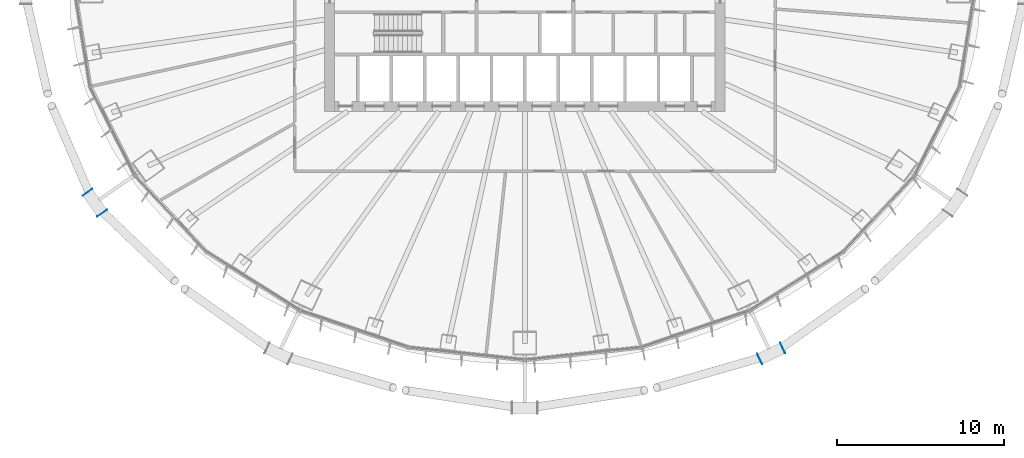
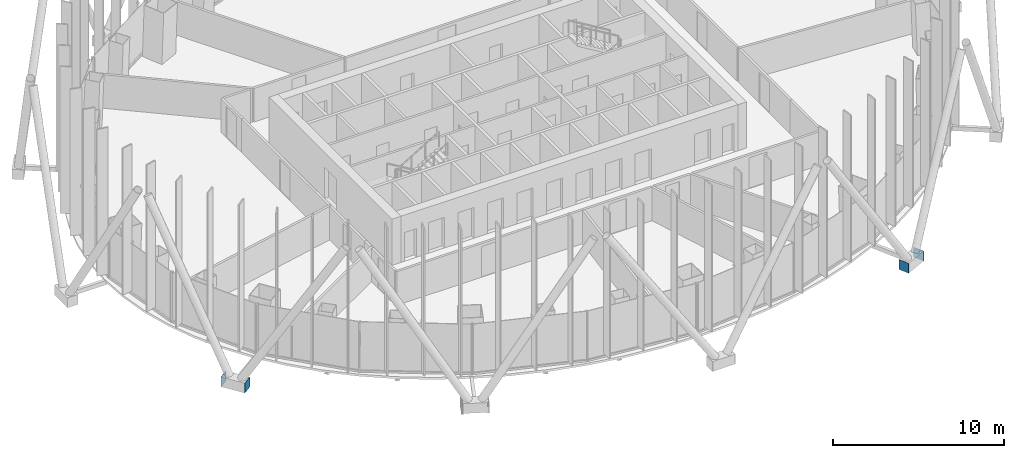
# One storey, part 10 of 21: 4 discrete accessories.
"""IFC4 building model written with IfcOpenShell, lengths in metres."""

from ifc_helpers import new_model, si_unit, direction, frame, origin, origin_2d, place, context, subcontext, project, spatial, rectangle, extrude, material, layer, layer_set, type_object, element, save


model = new_model("IFC4")

# Units and contexts
model_context = context("Model", 3, precision=1e-05, world=origin(), true_north=direction((0.0, 1.0)))
body_context = subcontext(model_context, "Body", "Model", "MODEL_VIEW")
ifc_project = project(units=[si_unit("LENGTHUNIT", "METRE"), si_unit("AREAUNIT", "SQUARE_METRE"), si_unit("VOLUMEUNIT", "CUBIC_METRE"), si_unit("PLANEANGLEUNIT", "RADIAN"), si_unit("MASSUNIT", "GRAM", prefix="KILO")], contexts=[model_context])

# Site, building, storey
site_placement = place(None, origin())
site = spatial("IfcSite", under=ifc_project, at=site_placement, CompositionType="ELEMENT")
building_placement = place(site_placement, origin())
building = spatial("IfcBuilding", under=site, at=building_placement, Name="Siaravel Broadcast Tower", CompositionType="ELEMENT")
storey_placement = place(building_placement, frame((0.0, 0.0, 70.39990234375)))
storey = spatial("IfcBuildingStorey", under=building, at=storey_placement, Name="L16", CompositionType="ELEMENT", Elevation=70.39990234375)

# Discrete accessories
ifc_material = material(Name="Steel S355", Category="steel")
ifc_layer = layer(ifc_material, 0.02001953125)
ifc_layer_set = layer_set([ifc_layer], Name="Steel S355")
discrete_accessory_type = type_object("IfcDiscreteAccessoryType", Name="Steel end plate 20 mm", PredefinedType="USERDEFINED", material=ifc_layer_set)
for number, where, z_axis, x_axis, name in (
    (1, (-25.325927734375, -13.302001953125, -0.5498046875), (0.0, 0.0, 1.0), (0.576119939, -0.817365167, 0.0), "End plate R07 station 42A"),
    (2, (-26.20556640625, -12.053955078125, -0.5498046875), (0.0, 0.0, 1.0), (0.576119939, -0.817365167, 0.0), "End plate R07 station 42B"),
    (3, (15.450439453125, -21.38818359375, -0.5498046875), (0.0, 0.0, 1.0), (0.904007202, 0.427517227, 0.0), "End plate R07 station 60A"),
    (4, (14.0703125, -22.041015625, -0.5498046875), (0.0, 0.0, 1.0), (0.904007202, 0.427517227, 0.0), "End plate R07 station 60B"),
):
    element("IfcDiscreteAccessory", number, at=place(storey_placement, frame(where, z_axis=z_axis, x_axis=x_axis)), inside=storey, type_object=discrete_accessory_type, Name=name, ObjectType="END PLATE", PredefinedType="USERDEFINED", context=body_context, shape_type="SweptSolid", body=[
        extrude(rectangle(XDim=0.02001953125, YDim=0.699951171875, at=origin_2d()), origin(), (0.0, 0.0, 1.0), 0.699951171875),
    ])

save(model, "model.ifc")
